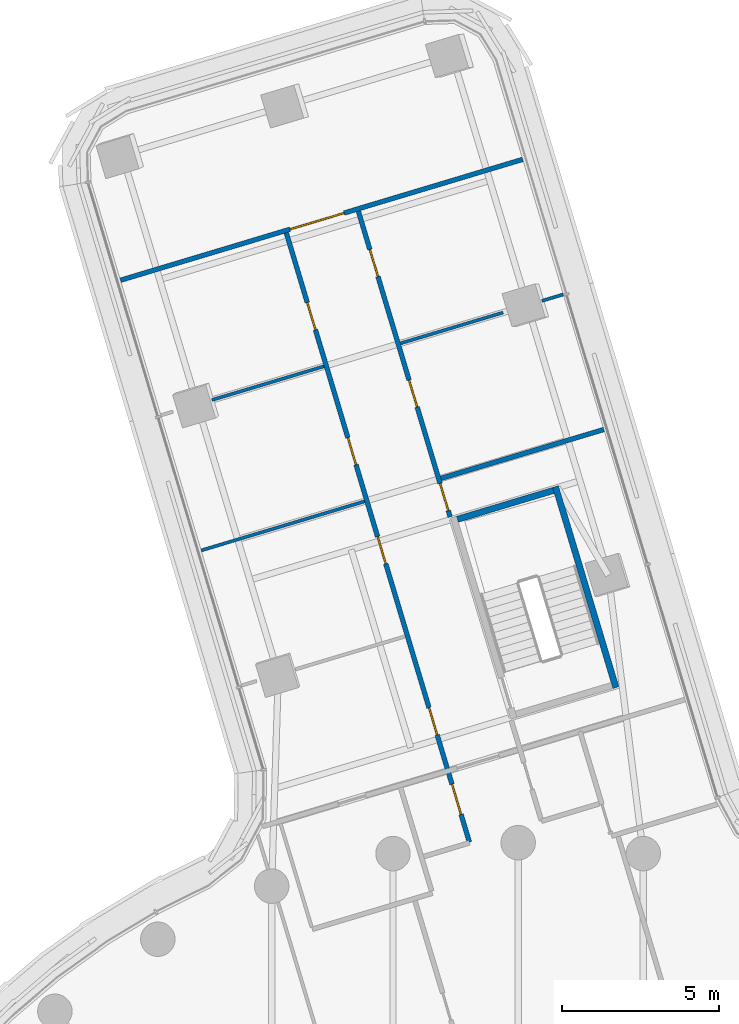
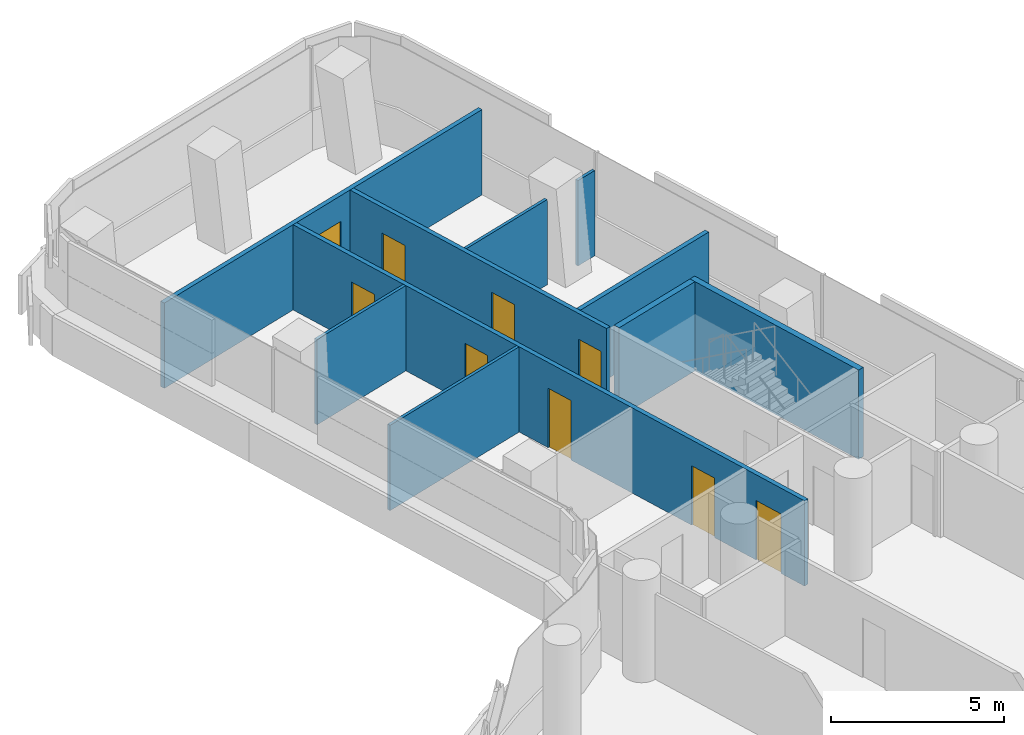
# One storey, part 22 of 32: 10 walls, 9 doors, 9 openings.
"""IFC4 building model written with IfcOpenShell, lengths in metres."""

from ifc_helpers import new_model, si_unit, direction, frame, frame_2d, origin, place, context, subcontext, project, spatial, polyline, rectangle, outline, extrude, material, layer, layer_set, type_object, element, fill, save


model = new_model("IFC4")

# Units and contexts
model_context = context("Model", 3, precision=1e-05, world=origin(), true_north=direction((0.0, 1.0)))
body_context = subcontext(model_context, "Body", "Model", "MODEL_VIEW")
ifc_project = project(units=[si_unit("LENGTHUNIT", "METRE"), si_unit("AREAUNIT", "SQUARE_METRE"), si_unit("VOLUMEUNIT", "CUBIC_METRE"), si_unit("PLANEANGLEUNIT", "RADIAN"), si_unit("MASSUNIT", "GRAM", prefix="KILO")], contexts=[model_context])

# Site, building, storey
site_placement = place(None, origin())
site = spatial("IfcSite", under=ifc_project, at=site_placement, CompositionType="ELEMENT")
building_placement = place(site_placement, origin())
building = spatial("IfcBuilding", under=site, at=building_placement, Name="Tamarind Cross Interchange Tower", CompositionType="ELEMENT")
storey_placement = place(building_placement, frame((0.0, 0.0, 94.75)))
storey = spatial("IfcBuildingStorey", under=building, at=storey_placement, Name="L22", CompositionType="ELEMENT", Elevation=94.75)

# Walls
ifc_material_1 = material(Name="Gypsum board partition on steel studs", Category="steel")
ifc_layer_1 = layer(ifc_material_1, 0.10009765625)
ifc_layer_set_1 = layer_set([ifc_layer_1], Name="Gypsum board partition on steel studs")
wall_type_1 = type_object("IfcWallType", Name="Partition 100 mm EI 90", PredefinedType="PARTITIONING", material=ifc_layer_set_1)
wall_1_placement = place(storey_placement, frame((-9.77294921875, 37.12841796875, 0.0), z_axis=(0.0, 0.0, 1.0), x_axis=(0.957743465851, 0.287623805726, 0.0)))
element("IfcWall", 1, at=wall_1_placement, inside=storey, type_object=wall_type_1, Name="Partition L22-052", PredefinedType="PARTITIONING", context=body_context, shape_type="SweptSolid", body=[
    extrude(rectangle(XDim=3.73388671875, YDim=0.10009765625, at=frame_2d((1.866943359375, 0.0))), origin(), (0.0, 0.0, 1.0), 3.010009765625),
])
wall_2_placement = place(storey_placement, frame((-3.75048828125, 38.93701171875, 0.0), z_axis=(0.0, 0.0, 1.0), x_axis=(0.957741586547, 0.287630063448, 0.0)))
element("IfcWall", 2, at=wall_2_placement, inside=storey, type_object=wall_type_1, Name="Partition L22-053", PredefinedType="PARTITIONING", context=body_context, shape_type="SweptSolid", body=[
    extrude(rectangle(XDim=3.4130859375, YDim=0.10009765625, at=frame_2d((1.70654296875, 0.0))), origin(), (0.0, 0.0, 1.0), 3.010009765625),
])
wall_3_placement = place(storey_placement, frame((0.758544921875, 40.291259765625, 0.0), z_axis=(0.0, 0.0, 1.0), x_axis=(0.957826285221, 0.287347885566, 0.0)))
element("IfcWall", 3, at=wall_3_placement, inside=storey, type_object=wall_type_1, Name="Partition L22-054", PredefinedType="PARTITIONING", context=body_context, shape_type="SweptSolid", body=[
    extrude(rectangle(XDim=0.711181640625, YDim=0.10009765625, at=frame_2d((0.35546875, 0.0))), origin(), (0.0, 0.0, 1.0), 3.010009765625),
])
wall_4_placement = place(storey_placement, frame((-10.1142578125, 32.3271484375, 0.0), z_axis=(0.0, 0.0, 1.0), x_axis=(0.957737328028, 0.287644242949, 0.0)))
element("IfcWall", 4, at=wall_4_placement, inside=storey, type_object=wall_type_1, Name="Partition L22-055", PredefinedType="PARTITIONING", context=body_context, shape_type="SweptSolid", body=[
    extrude(rectangle(XDim=5.44140625, YDim=0.10009765625, at=frame_2d((2.720703125, 0.0))), origin(), (0.0, 0.0, 1.0), 3.010009765625),
])

# Wall, openings, doors
ifc_layer_2 = layer(ifc_material_1, 0.14990234375)
ifc_layer_set_2 = layer_set([ifc_layer_2], Name="Gypsum board partition on steel studs")
wall_type_2 = type_object("IfcWallType", Name="Partition 150 mm EI 120", PredefinedType="PARTITIONING", material=ifc_layer_set_2)
wall_5_placement = place(storey_placement, frame((-7.3984375, 42.462158203125, 0.0), z_axis=(0.0, 0.0, 1.0), x_axis=(0.287760411209, -0.957702430686, 0.0)))
wall_5 = element("IfcWall", 5, at=wall_5_placement, inside=storey, type_object=wall_type_2, Name="Partition L22-012", PredefinedType="PARTITIONING", context=body_context, shape_type="SweptSolid", body=[
    extrude(rectangle(XDim=20.30517578125, YDim=0.14990234375, at=frame_2d((10.152587890625, 0.0))), origin(), (0.0, 0.0, 1.0), 3.010009765625),
])
opening_1_placement = place(wall_5_placement, frame((18.375732421875, 0.0, 0.0)))
opening_1 = element("IfcOpeningElement", 6, at=opening_1_placement, cuts=wall_5, Name="Opening D03", PredefinedType="OPENING", context=body_context, shape_type="SweptSolid", body=[
    extrude(rectangle(XDim=1.0, YDim=2.10009765625, at=frame_2d((0.5, 1.050048828125))), frame((0.0, 0.0849609375, 0.0), z_axis=(0.0, -1.0, 0.0), x_axis=(1.0, 0.0, 0.0)), (0.0, 0.0, 1.0), 0.169921875),
])
opening_2_placement = place(wall_5_placement, frame((15.825439453125, 0.0, 0.0)))
opening_2 = element("IfcOpeningElement", 7, at=opening_2_placement, cuts=wall_5, Name="Opening D04", PredefinedType="OPENING", context=body_context, shape_type="SweptSolid", body=[
    extrude(rectangle(XDim=0.89990234375, YDim=2.10009765625, at=frame_2d((0.449951171875, 1.050048828125))), frame((0.0, 0.0849609375, 0.0), z_axis=(0.0, -1.0, 0.0), x_axis=(1.0, 0.0, 0.0)), (0.0, 0.0, 1.0), 0.169921875),
])
opening_3_placement = place(wall_5_placement, frame((10.12548828125, 0.0, 0.0)))
opening_3 = element("IfcOpeningElement", 8, at=opening_3_placement, cuts=wall_5, Name="Opening D05", PredefinedType="OPENING", context=body_context, shape_type="SweptSolid", body=[
    extrude(rectangle(XDim=0.89990234375, YDim=2.10009765625, at=frame_2d((0.449951171875, 1.050048828125))), frame((0.0, 0.0849609375, 0.0), z_axis=(0.0, -1.0, 0.0), x_axis=(1.0, 0.0, 0.0)), (0.0, 0.0, 1.0), 0.169921875),
])
opening_4_placement = place(wall_5_placement, frame((6.8251953125, 0.0, 0.0)))
opening_4 = element("IfcOpeningElement", 9, at=opening_4_placement, cuts=wall_5, Name="Opening D06", PredefinedType="OPENING", context=body_context, shape_type="SweptSolid", body=[
    extrude(rectangle(XDim=0.89990234375, YDim=2.10009765625, at=frame_2d((0.449951171875, 1.050048828125))), frame((0.0, 0.0849609375, 0.0), z_axis=(0.0, -1.0, 0.0), x_axis=(1.0, 0.0, 0.0)), (0.0, 0.0, 1.0), 0.169921875),
])
opening_5_placement = place(wall_5_placement, frame((2.324951171875, 0.0, 0.0)))
opening_5 = element("IfcOpeningElement", 10, at=opening_5_placement, cuts=wall_5, Name="Opening D07", PredefinedType="OPENING", context=body_context, shape_type="SweptSolid", body=[
    extrude(rectangle(XDim=0.89990234375, YDim=2.10009765625, at=frame_2d((0.449951171875, 1.050048828125))), frame((0.0, 0.0849609375, 0.0), z_axis=(0.0, -1.0, 0.0), x_axis=(1.0, 0.0, 0.0)), (0.0, 0.0, 1.0), 0.169921875),
])
ifc_material_2 = material(Name="Fire-resisting door set")
door_type_1 = type_object("IfcDoorType", Name="Interior door 1000 x 2100 FD60S", OperationType="SINGLE_SWING_LEFT", PredefinedType="DOOR", material=ifc_material_2)
door_1_placement = place(opening_1_placement, frame((1.0, 0.0, 0.0), z_axis=(0.0, 0.0, 1.0), x_axis=(-1.0, 0.0, 0.0)))
door_1 = element("IfcDoor", 11, at=door_1_placement, inside=storey, type_object=door_type_1, Name="Door D03", OperationType="SINGLE_SWING_RIGHT", OverallHeight=2.10009765625, OverallWidth=1.0, PredefinedType="DOOR", context=body_context, shape_type="SweptSolid", body=[
    extrude(rectangle(XDim=1.0, YDim=2.10009765625, at=frame_2d((0.5, 1.050048828125))), frame((0.0, 0.02490234375, 0.0), z_axis=(0.0, -1.0, 0.0), x_axis=(1.0, 0.0, 0.0)), (0.0, 0.0, 1.0), 0.050048828125),
])
fill(opening_1, door_1)
door_type_2 = type_object("IfcDoorType", Name="Interior door 900 x 2100 FD60S", OperationType="SINGLE_SWING_LEFT", PredefinedType="DOOR", material=ifc_material_2)
door_2_placement = place(opening_2_placement, frame((0.89990234375, 0.0, 0.0), z_axis=(0.0, 0.0, 1.0), x_axis=(-1.0, 0.0, 0.0)))
door_2 = element("IfcDoor", 12, at=door_2_placement, inside=storey, type_object=door_type_2, Name="Door D04", OperationType="SINGLE_SWING_RIGHT", OverallHeight=2.10009765625, OverallWidth=0.89990234375, PredefinedType="DOOR", context=body_context, shape_type="SweptSolid", body=[
    extrude(rectangle(XDim=0.89990234375, YDim=2.10009765625, at=frame_2d((0.449951171875, 1.050048828125))), frame((0.0, 0.02490234375, 0.0), z_axis=(0.0, -1.0, 0.0), x_axis=(1.0, 0.0, 0.0)), (0.0, 0.0, 1.0), 0.050048828125),
])
fill(opening_2, door_2)
door_3_placement = place(opening_3_placement, frame((0.89990234375, 0.0, 0.0), z_axis=(0.0, 0.0, 1.0), x_axis=(-1.0, 0.0, 0.0)))
door_3 = element("IfcDoor", 13, at=door_3_placement, inside=storey, type_object=door_type_2, Name="Door D05", OperationType="SINGLE_SWING_RIGHT", OverallHeight=2.10009765625, OverallWidth=0.89990234375, PredefinedType="DOOR", context=body_context, shape_type="SweptSolid", body=[
    extrude(rectangle(XDim=0.89990234375, YDim=2.10009765625, at=frame_2d((0.449951171875, 1.050048828125))), frame((0.0, 0.02490234375, 0.0), z_axis=(0.0, -1.0, 0.0), x_axis=(1.0, 0.0, 0.0)), (0.0, 0.0, 1.0), 0.050048828125),
])
fill(opening_3, door_3)
door_4_placement = place(opening_4_placement, frame((0.89990234375, 0.0, 0.0), z_axis=(0.0, 0.0, 1.0), x_axis=(-1.0, 0.0, 0.0)))
door_4 = element("IfcDoor", 14, at=door_4_placement, inside=storey, type_object=door_type_2, Name="Door D06", OperationType="SINGLE_SWING_LEFT", OverallHeight=2.10009765625, OverallWidth=0.89990234375, PredefinedType="DOOR", context=body_context, shape_type="SweptSolid", body=[
    extrude(rectangle(XDim=0.89990234375, YDim=2.10009765625, at=frame_2d((0.449951171875, 1.050048828125))), frame((0.0, 0.02490234375, 0.0), z_axis=(0.0, -1.0, 0.0), x_axis=(1.0, 0.0, 0.0)), (0.0, 0.0, 1.0), 0.050048828125),
])
fill(opening_4, door_4)
door_5_placement = place(opening_5_placement, frame((0.89990234375, 0.0, 0.0), z_axis=(0.0, 0.0, 1.0), x_axis=(-1.0, 0.0, 0.0)))
door_5 = element("IfcDoor", 15, at=door_5_placement, inside=storey, type_object=door_type_2, Name="Door D07", OperationType="SINGLE_SWING_LEFT", OverallHeight=2.10009765625, OverallWidth=0.89990234375, PredefinedType="DOOR", context=body_context, shape_type="SweptSolid", body=[
    extrude(rectangle(XDim=0.89990234375, YDim=2.10009765625, at=frame_2d((0.449951171875, 1.050048828125))), frame((0.0, 0.02490234375, 0.0), z_axis=(0.0, -1.0, 0.0), x_axis=(1.0, 0.0, 0.0)), (0.0, 0.0, 1.0), 0.050048828125),
])
fill(opening_5, door_5)

wall_6_placement = place(storey_placement, frame((-5.099365234375, 43.152099609375, 0.0), z_axis=(0.0, 0.0, 1.0), x_axis=(0.287613983752, -0.957746415472, 0.0)))
wall_6 = element("IfcWall", 16, at=wall_6_placement, inside=storey, type_object=wall_type_2, Name="Partition L22-014", PredefinedType="PARTITIONING", context=body_context, shape_type="SweptSolid", body=[
    extrude(rectangle(XDim=10.1845703125, YDim=0.14990234375, at=frame_2d((5.09228515625, 0.0))), origin(), (0.0, 0.0, 1.0), 3.010009765625),
])
opening_6_placement = place(wall_6_placement, frame((5.625, 0.0, 0.0)))
opening_6 = element("IfcOpeningElement", 17, at=opening_6_placement, cuts=wall_6, Name="Opening D09", PredefinedType="OPENING", context=body_context, shape_type="SweptSolid", body=[
    extrude(rectangle(XDim=0.89990234375, YDim=2.10009765625, at=frame_2d((0.449951171875, 1.050048828125))), frame((0.0, 0.0849609375, 0.0), z_axis=(0.0, -1.0, 0.0), x_axis=(1.0, 0.0, 0.0)), (0.0, 0.0, 1.0), 0.169921875),
])
opening_7_placement = place(wall_6_placement, frame((1.27490234375, 0.0, 0.0)))
opening_7 = element("IfcOpeningElement", 18, at=opening_7_placement, cuts=wall_6, Name="Opening D10", PredefinedType="OPENING", context=body_context, shape_type="SweptSolid", body=[
    extrude(rectangle(XDim=0.89990234375, YDim=2.10009765625, at=frame_2d((0.449951171875, 1.050048828125))), frame((0.0, 0.0849609375, 0.0), z_axis=(0.0, -1.0, 0.0), x_axis=(1.0, 0.0, 0.0)), (0.0, 0.0, 1.0), 0.169921875),
])
opening_8_placement = place(wall_6_placement, frame((9.0751953125, 0.0, 0.0)))
opening_8 = element("IfcOpeningElement", 19, at=opening_8_placement, cuts=wall_6, Name="Opening D11", PredefinedType="OPENING", context=body_context, shape_type="SweptSolid", body=[
    extrude(rectangle(XDim=0.89990234375, YDim=2.10009765625, at=frame_2d((0.449951171875, 1.050048828125))), frame((0.0, 0.0849609375, 0.0), z_axis=(0.0, -1.0, 0.0), x_axis=(1.0, 0.0, 0.0)), (0.0, 0.0, 1.0), 0.169921875),
])
door_6_placement = place(opening_6_placement, origin())
door_6 = element("IfcDoor", 20, at=door_6_placement, inside=storey, type_object=door_type_2, Name="Door D09", OperationType="SINGLE_SWING_LEFT", OverallHeight=2.10009765625, OverallWidth=0.89990234375, PredefinedType="DOOR", context=body_context, shape_type="SweptSolid", body=[
    extrude(rectangle(XDim=0.89990234375, YDim=2.10009765625, at=frame_2d((0.449951171875, 1.050048828125))), frame((0.0, 0.02490234375, 0.0), z_axis=(0.0, -1.0, 0.0), x_axis=(1.0, 0.0, 0.0)), (0.0, 0.0, 1.0), 0.050048828125),
])
fill(opening_6, door_6)
door_7_placement = place(opening_7_placement, origin())
door_7 = element("IfcDoor", 21, at=door_7_placement, inside=storey, type_object=door_type_2, Name="Door D10", OperationType="SINGLE_SWING_RIGHT", OverallHeight=2.10009765625, OverallWidth=0.89990234375, PredefinedType="DOOR", context=body_context, shape_type="SweptSolid", body=[
    extrude(rectangle(XDim=0.89990234375, YDim=2.10009765625, at=frame_2d((0.449951171875, 1.050048828125))), frame((0.0, 0.02490234375, 0.0), z_axis=(0.0, -1.0, 0.0), x_axis=(1.0, 0.0, 0.0)), (0.0, 0.0, 1.0), 0.050048828125),
])
fill(opening_7, door_7)
door_8_placement = place(opening_8_placement, origin())
door_8 = element("IfcDoor", 22, at=door_8_placement, inside=storey, type_object=door_type_2, Name="Door D11", OperationType="SINGLE_SWING_LEFT", OverallHeight=2.10009765625, OverallWidth=0.89990234375, PredefinedType="DOOR", context=body_context, shape_type="SweptSolid", body=[
    extrude(rectangle(XDim=0.89990234375, YDim=2.10009765625, at=frame_2d((0.449951171875, 1.050048828125))), frame((0.0, 0.02490234375, 0.0), z_axis=(0.0, -1.0, 0.0), x_axis=(1.0, 0.0, 0.0)), (0.0, 0.0, 1.0), 0.050048828125),
])
fill(opening_8, door_8)

# Wall, opening, door
wall_7_placement = place(storey_placement, frame((-12.69091796875, 40.9501953125, 0.0), z_axis=(0.0, 0.0, 1.0), x_axis=(0.957704873731, 0.287752280324, 0.0)))
wall_7 = element("IfcWall", 23, at=wall_7_placement, inside=storey, type_object=wall_type_2, Name="Partition L22-050", PredefinedType="PARTITIONING", context=body_context, shape_type="SweptSolid", body=[
    extrude(rectangle(XDim=13.40283203125, YDim=0.14990234375, at=frame_2d((6.701416015625, 0.0))), origin(), (0.0, 0.0, 1.0), 3.010009765625),
])
opening_9_placement = place(wall_7_placement, frame((5.653564453125, 0.0, 0.0)))
opening_9 = element("IfcOpeningElement", 24, at=opening_9_placement, cuts=wall_7, Name="Opening D32", PredefinedType="OPENING", context=body_context, shape_type="SweptSolid", body=[
    extrude(rectangle(XDim=1.800048828125, YDim=2.10009765625, at=frame_2d((0.89990234375, 1.050048828125))), frame((0.0, 0.0849609375, 0.0), z_axis=(0.0, -1.0, 0.0), x_axis=(1.0, 0.0, 0.0)), (0.0, 0.0, 1.0), 0.169921875),
])
door_type_3 = type_object("IfcDoorType", Name="Interior door 1800 x 2100 FD60S", OperationType="DOUBLE_DOOR_SINGLE_SWING", PredefinedType="DOOR", material=ifc_material_2)
door_9_placement = place(opening_9_placement, origin())
door_9 = element("IfcDoor", 25, at=door_9_placement, inside=storey, type_object=door_type_3, Name="Door D32", OperationType="DOUBLE_DOOR_SINGLE_SWING", OverallHeight=2.10009765625, OverallWidth=1.800048828125, PredefinedType="DOOR", context=body_context, shape_type="SweptSolid", body=[
    extrude(rectangle(XDim=1.800048828125, YDim=2.10009765625, at=frame_2d((0.89990234375, 1.050048828125))), frame((0.0, 0.02490234375, 0.0), z_axis=(0.0, -1.0, 0.0), x_axis=(1.0, 0.0, 0.0)), (0.0, 0.0, 1.0), 0.050048828125),
])
fill(opening_9, door_9)

# Walls
wall_8_placement = place(storey_placement, frame((-2.456298828125, 34.627197265625, 0.0), z_axis=(0.0, 0.0, 1.0), x_axis=(0.957735722718, 0.287649587918, 0.0)))
element("IfcWall", 26, at=wall_8_placement, inside=storey, type_object=wall_type_2, Name="Partition L22-056", PredefinedType="PARTITIONING", context=body_context, shape_type="SweptSolid", body=[
    extrude(rectangle(XDim=5.419189453125, YDim=0.14990234375, at=frame_2d((2.70947265625, 0.0))), origin(), (0.0, 0.0, 1.0), 3.010009765625),
])
ifc_material_3 = material(Name="Concrete C40", Category="concrete")
ifc_layer_3 = layer(ifc_material_3, 0.199951171875)
ifc_layer_set_3 = layer_set([ifc_layer_3], Name="Concrete C40")
wall_type_3 = type_object("IfcWallType", Name="Stair shaft wall 200 mm Concrete C40", PredefinedType="SHEAR", material=ifc_layer_set_3)
wall_9_placement = place(storey_placement, frame((3.12060546875, 27.94921875, -0.139892578125), z_axis=(0.0, 0.0, 1.0), x_axis=(-0.28761866462, 0.957745009782, 0.0)))
element("IfcWall", 27, at=wall_9_placement, inside=storey, type_object=wall_type_3, Name="Core wall CWL-L22-ST4-C", PredefinedType="SHEAR", context=body_context, shape_type="SweptSolid", body=[
    extrude(rectangle(XDim=6.699951171875, YDim=0.199951171875, at=frame_2d((3.35009765625, 0.0))), origin(), (0.0, 0.0, 1.0), 3.14990234375),
])
wall_10_placement = place(storey_placement, frame((0.0, 0.0, -0.139892578125)))
element("IfcWall", 28, at=wall_10_placement, inside=storey, type_object=wall_type_3, Name="Core wall CWL-L22-ST4-CF", PredefinedType="SHEAR", context=body_context, shape_type="SweptSolid", body=[
    extrude(outline(polyline([(1.1552734375, 34.1455078125), (1.09765625, 34.337158203125), (-1.967041015625, 33.416748046875), (-1.909423828125, 33.22509765625), (1.1552734375, 34.1455078125)])), origin(), (0.0, 0.0, 1.0), 3.14990234375),
])

save(model, "model.ifc")
